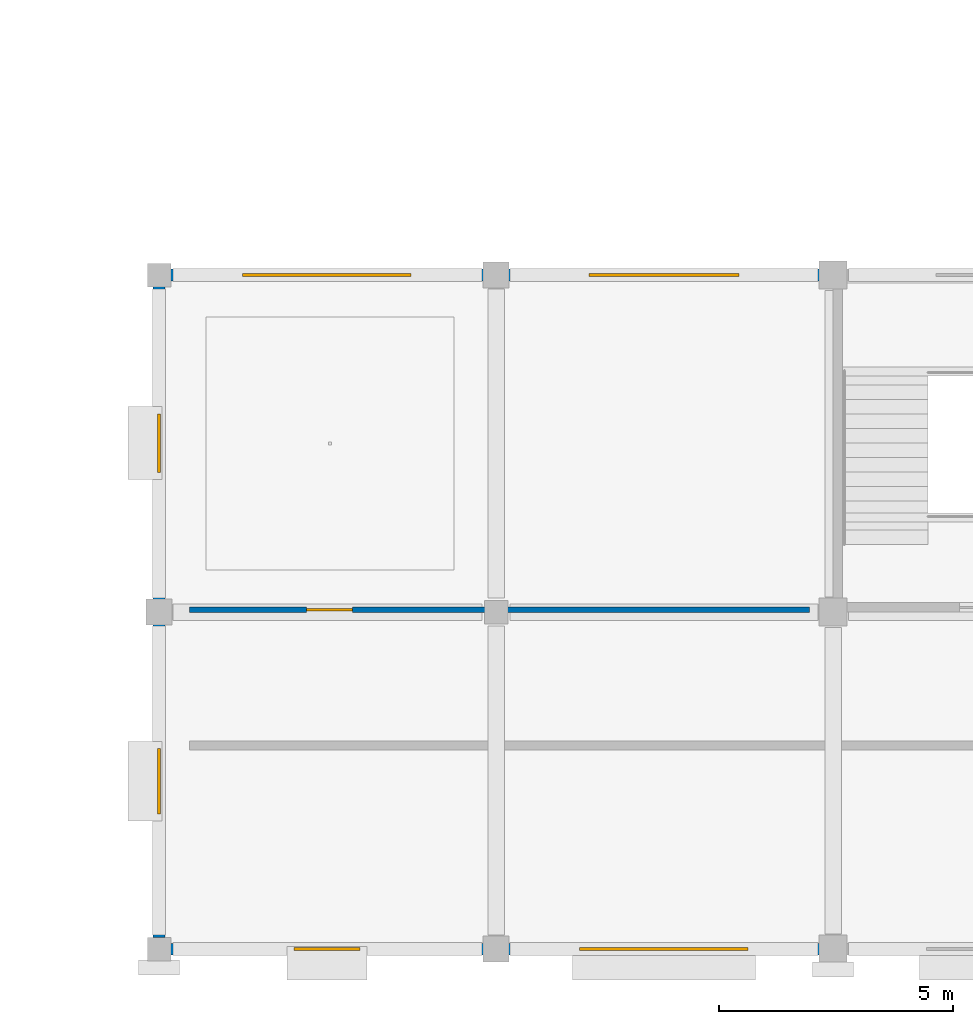
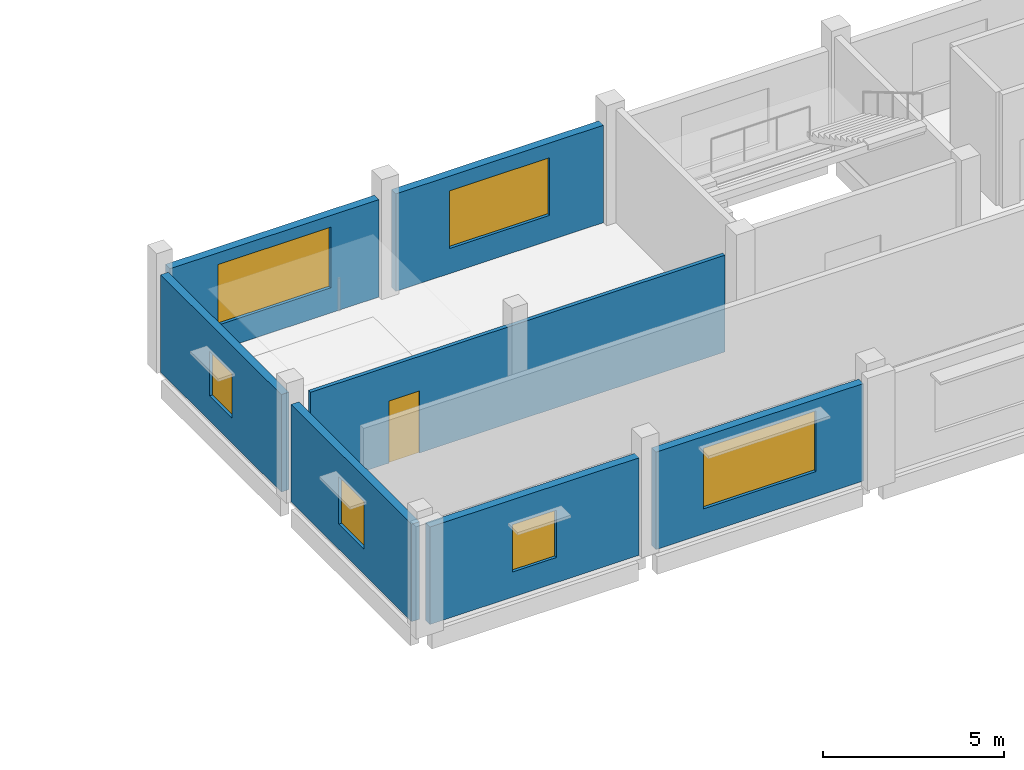
# One storey, part 54 of 77: 7 walls, 6 windows, 1 door, 7 openings.
"""IFC4 building model written with IfcOpenShell, lengths in metres."""

from ifc_helpers import new_model, si_unit, direction, frame, frame_2d, origin, place, context, subcontext, project, spatial, rectangle, extrude, material, layer, layer_set, type_object, element, fill, save


model = new_model("IFC4")

# Units and contexts
model_context = context("Model", 3, precision=1e-05, world=origin(), true_north=direction((0.0, 1.0)))
body_context = subcontext(model_context, "Body", "Model", "MODEL_VIEW")
ifc_project = project(units=[si_unit("LENGTHUNIT", "METRE"), si_unit("AREAUNIT", "SQUARE_METRE"), si_unit("VOLUMEUNIT", "CUBIC_METRE"), si_unit("PLANEANGLEUNIT", "RADIAN"), si_unit("MASSUNIT", "GRAM", prefix="KILO")], contexts=[model_context])

# Site, building, storey
site_placement = place(None, origin())
site = spatial("IfcSite", under=ifc_project, at=site_placement, CompositionType="ELEMENT")
building_placement = place(site_placement, origin())
building = spatial("IfcBuilding", under=site, at=building_placement, Name="Kangsadwip Square Police Headquarters", CompositionType="ELEMENT")
storey_placement = place(building_placement, frame((0.0, 0.0, 17.550048828125)))
storey = spatial("IfcBuildingStorey", under=building, at=storey_placement, Name="L04", CompositionType="ELEMENT", Elevation=17.550048828125)

# Wall, opening, door
ifc_material_1 = material(Name="Fire-rated double gypsum board acoustic stud partition", Category="masonry")
ifc_layer_1 = layer(ifc_material_1, 0.1201171875)
ifc_layer_set_1 = layer_set([ifc_layer_1], Name="Fire-rated double gypsum board acoustic stud partition")
wall_type_1 = type_object("IfcWallType", Name="AcousticPartition120", PredefinedType="PARTITIONING", material=ifc_layer_set_1)
wall_1_placement = place(storey_placement, frame((115.85009765625, 28.85009765625, 0.0), z_axis=(0.0, 0.0, 1.0), x_axis=(1.0, 0.0, 0.0)))
wall_1 = element("IfcWall", 1, at=wall_1_placement, inside=storey, type_object=wall_type_1, Name="Interior Wall WI-L04-0867", PredefinedType="PARTITIONING", context=body_context, shape_type="SweptSolid", body=[
    extrude(rectangle(XDim=13.25, YDim=0.1201171875, at=frame_2d((6.625, 0.0))), origin(), (0.0, 0.0, 1.0), 3.27001953125),
])
opening_1_placement = place(wall_1_placement, frame((2.50390625, 0.0, 0.0)))
opening_1 = element("IfcOpeningElement", 2, at=opening_1_placement, cuts=wall_1, Name="Opening ID-09A", PredefinedType="OPENING", context=body_context, shape_type="SweptSolid", body=[
    extrude(rectangle(XDim=0.97998046875, YDim=2.10009765625, at=frame_2d((0.489990234375, 1.050048828125))), frame((0.0, 0.070068359375, 0.0), z_axis=(0.0, -1.0, 0.0), x_axis=(1.0, 0.0, 0.0)), (0.0, 0.0, 1.0), 0.14013671875),
])
ifc_material_2 = material(Name="Solid-core seasoned teak hardwood architectural door", Category="wood")
door_type = type_object("IfcDoorType", Name="OfficeDoor980x2100", OperationType="NOTDEFINED", PredefinedType="DOOR", material=ifc_material_2)
door_placement = place(opening_1_placement, origin())
door = element("IfcDoor", 3, at=door_placement, inside=storey, type_object=door_type, Name="Interior Door ID-L04-0237", OperationType="SINGLE_SWING_RIGHT", OverallHeight=2.10009765625, OverallWidth=0.97998046875, PredefinedType="DOOR", context=body_context, shape_type="SweptSolid", body=[
    extrude(rectangle(XDim=0.97998046875, YDim=2.10009765625, at=frame_2d((0.489990234375, 1.050048828125))), frame((0.0, 0.02490234375, 0.0), z_axis=(0.0, -1.0, 0.0), x_axis=(1.0, 0.0, 0.0)), (0.0, 0.0, 1.0), 0.050048828125),
])
fill(opening_1, door)

# Wall, opening, window
ifc_material_3 = material(Name="Glazed architectural terracotta masonry rainscreen", Category="masonry")
ifc_layer_2 = layer(ifc_material_3, 0.25)
ifc_layer_set_2 = layer_set([ifc_layer_2], Name="Glazed architectural terracotta masonry rainscreen")
wall_type_2 = type_object("IfcWallType", Name="ChicagoTerracottaWall250", PredefinedType="SOLIDWALL", material=ifc_layer_set_2)
wall_2_placement = place(storey_placement, frame((115.445068359375, 21.60009765625, 0.0), z_axis=(0.0, 0.0, 1.0), x_axis=(1.0, 0.0, 0.0)))
wall_2 = element("IfcWall", 4, at=wall_2_placement, inside=storey, type_object=wall_type_2, Name="Exterior Wall WE-L04-421", PredefinedType="SOLIDWALL", context=body_context, shape_type="SweptSolid", body=[
    extrude(rectangle(XDim=6.684814453125, YDim=0.25, at=frame_2d((3.34228515625, 0.0))), origin(), (0.0, 0.0, 1.0), 3.294921875),
])
opening_2_placement = place(wall_2_placement, frame((2.642578125, 0.0, 0.85009765625)))
opening_2 = element("IfcOpeningElement", 5, at=opening_2_placement, cuts=wall_2, Name="Opening WN-13", PredefinedType="OPENING", context=body_context, shape_type="SweptSolid", body=[
    extrude(rectangle(XDim=1.39990234375, YDim=1.60009765625, at=frame_2d((0.699951171875, 0.800048828125))), frame((0.0, 0.135009765625, 0.0), z_axis=(0.0, -1.0, 0.0), x_axis=(1.0, 0.0, 0.0)), (0.0, 0.0, 1.0), 0.27001953125),
])
ifc_material_4 = material(Name="Double-glazed solar-control low-E safety glass", Category="glass")
window_type_1 = type_object("IfcWindowType", Name="OfficeCasementWin1400x1600", PartitioningType="SINGLE_PANEL", PredefinedType="WINDOW", material=ifc_material_4)
window_1_placement = place(opening_2_placement, origin())
window_1 = element("IfcWindow", 6, at=window_1_placement, inside=storey, type_object=window_type_1, Name="Window WN-L04-0272", OverallHeight=1.60009765625, OverallWidth=1.39990234375, PartitioningType="SINGLE_PANEL", PredefinedType="WINDOW", context=body_context, shape_type="SweptSolid", body=[
    extrude(rectangle(XDim=1.39990234375, YDim=1.60009765625, at=frame_2d((0.699951171875, 0.800048828125))), frame((0.0, 0.030029296875, 0.0), z_axis=(0.0, -1.0, 0.0), x_axis=(1.0, 0.0, 0.0)), (0.0, 0.0, 1.0), 0.06005859375),
])
fill(opening_2, window_1)

wall_3_placement = place(storey_placement, frame((122.669921875, 21.60009765625, 0.0), z_axis=(0.0, 0.0, 1.0), x_axis=(1.0, 0.0, 0.0)))
wall_3 = element("IfcWall", 7, at=wall_3_placement, inside=storey, type_object=wall_type_2, Name="Exterior Wall WE-L04-422", PredefinedType="SOLIDWALL", context=body_context, shape_type="SweptSolid", body=[
    extrude(rectangle(XDim=6.635009765625, YDim=0.25, at=frame_2d((3.3173828125, 0.0))), origin(), (0.0, 0.0, 1.0), 3.294921875),
])
opening_3_placement = place(wall_3_placement, frame((1.517578125, 0.0, 0.85009765625)))
opening_3 = element("IfcOpeningElement", 8, at=opening_3_placement, cuts=wall_3, Name="Opening WN-01", PredefinedType="OPENING", context=body_context, shape_type="SweptSolid", body=[
    extrude(rectangle(XDim=3.60009765625, YDim=2.050048828125, at=frame_2d((1.800048828125, 1.02490234375))), frame((0.0, 0.135009765625, 0.0), z_axis=(0.0, -1.0, 0.0), x_axis=(1.0, 0.0, 0.0)), (0.0, 0.0, 1.0), 0.27001953125),
])
ifc_material_5 = material(Name="Double-glazed solar-control low-E safety glass", Category="glass")
window_type_2 = type_object("IfcWindowType", Name="ChicagoTripartiteWin3600x2050", PartitioningType="TRIPLE_PANEL_HORIZONTAL", PredefinedType="WINDOW", material=ifc_material_5)
window_2_placement = place(opening_3_placement, origin())
window_2 = element("IfcWindow", 9, at=window_2_placement, inside=storey, type_object=window_type_2, Name="Window WN-L04-0273", OverallHeight=2.050048828125, OverallWidth=3.60009765625, PartitioningType="SINGLE_PANEL", PredefinedType="WINDOW", context=body_context, shape_type="SweptSolid", body=[
    extrude(rectangle(XDim=3.60009765625, YDim=2.050048828125, at=frame_2d((1.800048828125, 1.02490234375))), frame((0.0, 0.030029296875, 0.0), z_axis=(0.0, -1.0, 0.0), x_axis=(1.0, 0.0, 0.0)), (0.0, 0.0, 1.0), 0.06005859375),
])
fill(opening_3, window_2)

wall_4_placement = place(storey_placement, frame((115.445068359375, 36.0, 0.0), z_axis=(0.0, 0.0, 1.0), x_axis=(1.0, 0.0, 0.0)))
wall_4 = element("IfcWall", 10, at=wall_4_placement, inside=storey, type_object=wall_type_2, Name="Exterior Wall WE-L04-431", PredefinedType="SOLIDWALL", context=body_context, shape_type="SweptSolid", body=[
    extrude(rectangle(XDim=6.684814453125, YDim=0.25, at=frame_2d((3.34228515625, 0.0))), origin(), (0.0, 0.0, 1.0), 3.294921875),
])
opening_4_placement = place(wall_4_placement, frame((1.54248046875, 0.0, 0.85009765625)))
opening_4 = element("IfcOpeningElement", 11, at=opening_4_placement, cuts=wall_4, Name="Opening WN-01", PredefinedType="OPENING", context=body_context, shape_type="SweptSolid", body=[
    extrude(rectangle(XDim=3.60009765625, YDim=2.050048828125, at=frame_2d((1.800048828125, 1.02490234375))), frame((0.0, 0.135009765625, 0.0), z_axis=(0.0, -1.0, 0.0), x_axis=(1.0, 0.0, 0.0)), (0.0, 0.0, 1.0), 0.27001953125),
])
window_3_placement = place(opening_4_placement, origin())
window_3 = element("IfcWindow", 12, at=window_3_placement, inside=storey, type_object=window_type_2, Name="Window WN-L04-0282", OverallHeight=2.050048828125, OverallWidth=3.60009765625, PartitioningType="SINGLE_PANEL", PredefinedType="WINDOW", context=body_context, shape_type="SweptSolid", body=[
    extrude(rectangle(XDim=3.60009765625, YDim=2.050048828125, at=frame_2d((1.800048828125, 1.02490234375))), frame((0.0, 0.030029296875, 0.0), z_axis=(0.0, -1.0, 0.0), x_axis=(1.0, 0.0, 0.0)), (0.0, 0.0, 1.0), 0.06005859375),
])
fill(opening_4, window_3)

wall_5_placement = place(storey_placement, frame((122.669921875, 36.0, 0.0), z_axis=(0.0, 0.0, 1.0), x_axis=(1.0, 0.0, 0.0)))
wall_5 = element("IfcWall", 13, at=wall_5_placement, inside=storey, type_object=wall_type_2, Name="Exterior Wall WE-L04-432", PredefinedType="SOLIDWALL", context=body_context, shape_type="SweptSolid", body=[
    extrude(rectangle(XDim=6.635009765625, YDim=0.25, at=frame_2d((3.3173828125, 0.0))), origin(), (0.0, 0.0, 1.0), 3.294921875),
])
opening_5_placement = place(wall_5_placement, frame((1.717529296875, 0.0, 0.85009765625)))
opening_5 = element("IfcOpeningElement", 14, at=opening_5_placement, cuts=wall_5, Name="Opening WN-03", PredefinedType="OPENING", context=body_context, shape_type="SweptSolid", body=[
    extrude(rectangle(XDim=3.199951171875, YDim=1.949951171875, at=frame_2d((1.60009765625, 0.97509765625))), frame((0.0, 0.135009765625, 0.0), z_axis=(0.0, -1.0, 0.0), x_axis=(1.0, 0.0, 0.0)), (0.0, 0.0, 1.0), 0.27001953125),
])
ifc_material_6 = material(Name="Double-glazed solar-control low-E safety glass", Category="glass")
window_type_3 = type_object("IfcWindowType", Name="ChicagoTripartiteWin3200x1950", PartitioningType="TRIPLE_PANEL_HORIZONTAL", PredefinedType="WINDOW", material=ifc_material_6)
window_4_placement = place(opening_5_placement, origin())
window_4 = element("IfcWindow", 15, at=window_4_placement, inside=storey, type_object=window_type_3, Name="Window WN-L04-0283", OverallHeight=1.949951171875, OverallWidth=3.199951171875, PartitioningType="SINGLE_PANEL", PredefinedType="WINDOW", context=body_context, shape_type="SweptSolid", body=[
    extrude(rectangle(XDim=3.199951171875, YDim=1.949951171875, at=frame_2d((1.60009765625, 0.97509765625))), frame((0.0, 0.030029296875, 0.0), z_axis=(0.0, -1.0, 0.0), x_axis=(1.0, 0.0, 0.0)), (0.0, 0.0, 1.0), 0.06005859375),
])
fill(opening_5, window_4)

wall_6_placement = place(storey_placement, frame((115.199951171875, 21.844970703125, 0.0), z_axis=(0.0, 0.0, 1.0), x_axis=(0.0, 1.0, 0.0)))
wall_6 = element("IfcWall", 16, at=wall_6_placement, inside=storey, type_object=wall_type_2, Name="Exterior Wall WE-L04-456", PredefinedType="SOLIDWALL", context=body_context, shape_type="SweptSolid", body=[
    extrude(rectangle(XDim=6.68505859375, YDim=0.25, at=frame_2d((3.342529296875, 0.0))), origin(), (0.0, 0.0, 1.0), 3.294921875),
])
opening_6_placement = place(wall_6_placement, frame((2.642578125, 0.0, 0.85009765625)))
opening_6 = element("IfcOpeningElement", 17, at=opening_6_placement, cuts=wall_6, Name="Opening WN-13", PredefinedType="OPENING", context=body_context, shape_type="SweptSolid", body=[
    extrude(rectangle(XDim=1.39990234375, YDim=1.60009765625, at=frame_2d((0.699951171875, 0.800048828125))), frame((0.0, 0.135009765625, 0.0), z_axis=(0.0, -1.0, 0.0), x_axis=(1.0, 0.0, 0.0)), (0.0, 0.0, 1.0), 0.27001953125),
])
window_5_placement = place(opening_6_placement, origin())
window_5 = element("IfcWindow", 18, at=window_5_placement, inside=storey, type_object=window_type_1, Name="Window WN-L04-0306", OverallHeight=1.60009765625, OverallWidth=1.39990234375, PartitioningType="SINGLE_PANEL", PredefinedType="WINDOW", context=body_context, shape_type="SweptSolid", body=[
    extrude(rectangle(XDim=1.39990234375, YDim=1.60009765625, at=frame_2d((0.699951171875, 0.800048828125))), frame((0.0, 0.030029296875, 0.0), z_axis=(0.0, -1.0, 0.0), x_axis=(1.0, 0.0, 0.0)), (0.0, 0.0, 1.0), 0.06005859375),
])
fill(opening_6, window_5)

wall_7_placement = place(storey_placement, frame((115.199951171875, 29.070068359375, 0.0), z_axis=(0.0, 0.0, 1.0), x_axis=(0.0, 1.0, 0.0)))
wall_7 = element("IfcWall", 19, at=wall_7_placement, inside=storey, type_object=wall_type_2, Name="Exterior Wall WE-L04-457", PredefinedType="SOLIDWALL", context=body_context, shape_type="SweptSolid", body=[
    extrude(rectangle(XDim=6.684814453125, YDim=0.25, at=frame_2d((3.34228515625, 0.0))), origin(), (0.0, 0.0, 1.0), 3.294921875),
])
opening_7_placement = place(wall_7_placement, frame((2.717529296875, 0.0, 0.85009765625)))
opening_7 = element("IfcOpeningElement", 20, at=opening_7_placement, cuts=wall_7, Name="Opening WN-14", PredefinedType="OPENING", context=body_context, shape_type="SweptSolid", body=[
    extrude(rectangle(XDim=1.25, YDim=1.5, at=frame_2d((0.625, 0.75))), frame((0.0, 0.135009765625, 0.0), z_axis=(0.0, -1.0, 0.0), x_axis=(1.0, 0.0, 0.0)), (0.0, 0.0, 1.0), 0.27001953125),
])
ifc_material_7 = material(Name="Double-glazed solar-control low-E safety glass", Category="glass")
window_type_4 = type_object("IfcWindowType", Name="OfficeCasementWin1250x1500", PartitioningType="SINGLE_PANEL", PredefinedType="WINDOW", material=ifc_material_7)
window_6_placement = place(opening_7_placement, origin())
window_6 = element("IfcWindow", 21, at=window_6_placement, inside=storey, type_object=window_type_4, Name="Window WN-L04-0307", OverallHeight=1.5, OverallWidth=1.25, PartitioningType="SINGLE_PANEL", PredefinedType="WINDOW", context=body_context, shape_type="SweptSolid", body=[
    extrude(rectangle(XDim=1.25, YDim=1.5, at=frame_2d((0.625, 0.75))), frame((0.0, 0.030029296875, 0.0), z_axis=(0.0, -1.0, 0.0), x_axis=(1.0, 0.0, 0.0)), (0.0, 0.0, 1.0), 0.06005859375),
])
fill(opening_7, window_6)

save(model, "model.ifc")
